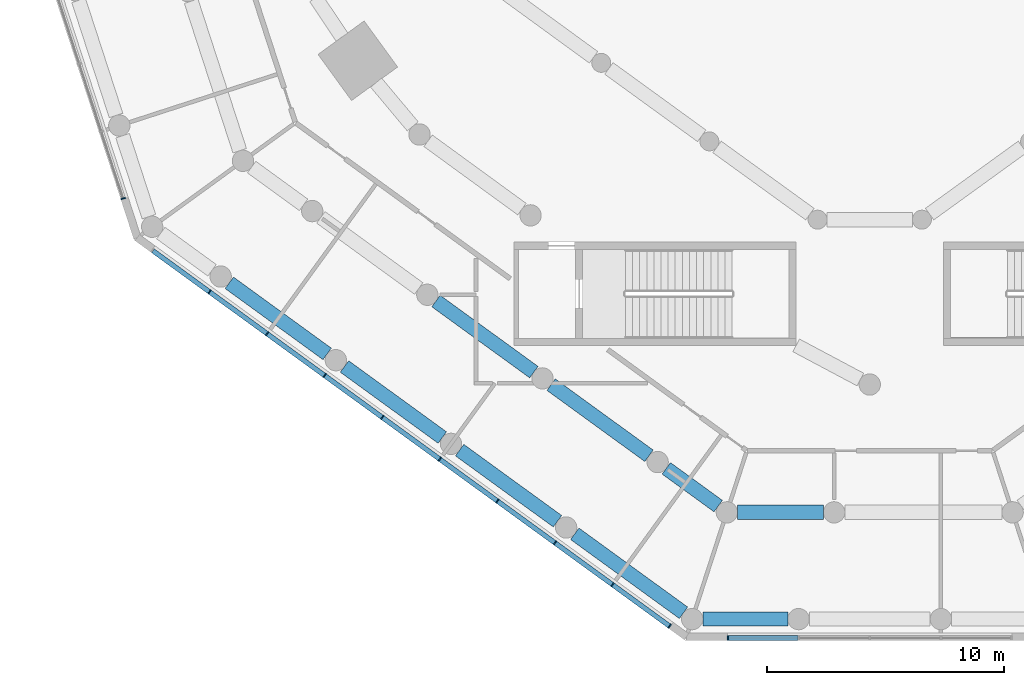
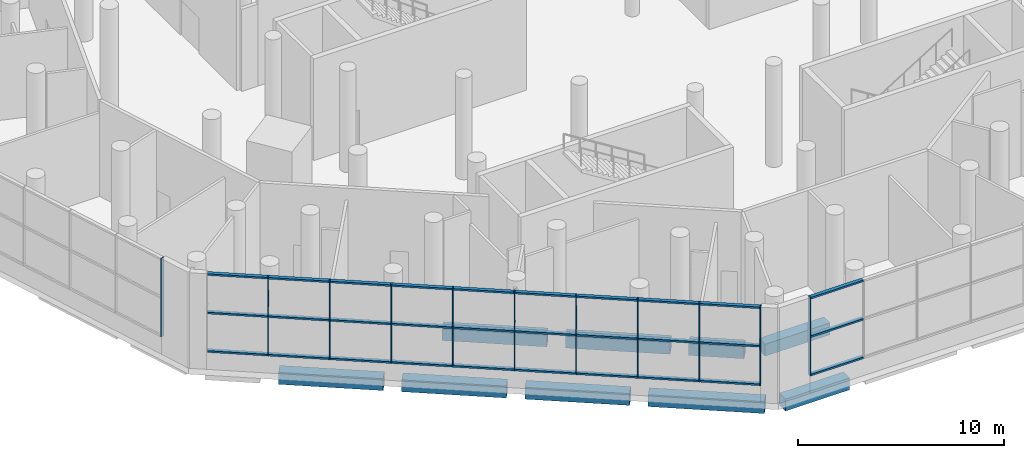
# One storey, part 2 of 19: 41 members, 9 beams, 3 elements without a shape of their own.
"""IFC4 building model written with IfcOpenShell, lengths in metres."""

from ifc_helpers import new_model, si_unit, direction, frame, origin, origin_2d, place, context, subcontext, project, spatial, rectangle, extrude, material, material_profile, profile_set, type_object, element, aggregate, save


model = new_model("IFC4")

# Units and contexts
model_context = context("Model", 3, precision=1e-05, world=origin(), true_north=direction((0.0, 1.0)))
body_context = subcontext(model_context, "Body", "Model", "MODEL_VIEW")
ifc_project = project(units=[si_unit("LENGTHUNIT", "METRE"), si_unit("AREAUNIT", "SQUARE_METRE"), si_unit("VOLUMEUNIT", "CUBIC_METRE"), si_unit("PLANEANGLEUNIT", "RADIAN"), si_unit("MASSUNIT", "GRAM", prefix="KILO")], contexts=[model_context])

# Site, building, storey
site_placement = place(None, origin())
site = spatial("IfcSite", under=ifc_project, at=site_placement, CompositionType="ELEMENT")
building_placement = place(site_placement, origin())
building = spatial("IfcBuilding", under=site, at=building_placement, Name="White Candle Pilgrim Tower", CompositionType="ELEMENT")
storey_placement = place(building_placement, frame((0.0, 0.0, 23.0)))
storey = spatial("IfcBuildingStorey", under=building, at=storey_placement, Name="L03", CompositionType="ELEMENT", Elevation=23.0)

# Curtain wall, member
ifc_material_1 = material(Name="Aluminium and glass", Category="aluminium")
curtain_wall_type = type_object("IfcCurtainWallType", Name="Curtain wall CW2 prayer hall clerestory", PredefinedType="NOTDEFINED", material=ifc_material_1)
curtain_wall_1_placement = place(storey_placement, origin())
curtain_wall_1 = element("IfcCurtainWall", 1, at=curtain_wall_1_placement, inside=storey, type_object=curtain_wall_type, Name="Curtain wall CW2 L03 W chamfer", PredefinedType="NOTDEFINED")
ifc_material_2 = material(Name="Aluminium", Category="aluminium")
ifc_material_profile_1 = material_profile(ifc_material_2, rectangle(XDim=0.199951171875, YDim=0.050048828125, at=origin_2d()), Name="CW2 mullion 50x200")
ifc_profile_set_1 = profile_set([ifc_material_profile_1], Name="Aluminium")
member_type_1 = type_object("IfcMemberType", Name="CW2 mullion 50x200", PredefinedType="MULLION", material=ifc_profile_set_1)
member_1_placement = place(storey_placement, frame((38.5224609375, 47.48974609375, 1.0), z_axis=(0.0, 0.0, 1.0), x_axis=(0.95105651444, 0.309017000085, 0.0)))
member_1 = element("IfcMember", 2, at=member_1_placement, type_object=member_type_1, Name="CW2 mullion 5", PredefinedType="MULLION", context=body_context, shape_type="SweptSolid", body=[
    extrude(rectangle(XDim=0.199951171875, YDim=0.050048828125, at=origin_2d()), origin(), (0.0, 0.0, 1.0), 4.64990234375),
])
aggregate(curtain_wall_1, [member_1])

# Curtain wall, members
curtain_wall_2_placement = place(storey_placement, origin())
curtain_wall_2 = element("IfcCurtainWall", 3, at=curtain_wall_2_placement, inside=storey, type_object=curtain_wall_type, Name="Curtain wall CW2 L03 SW", PredefinedType="NOTDEFINED")
member_2_placement = place(storey_placement, frame((42.167236328125, 43.55517578125, 1.0), z_axis=(0.0, 0.0, 1.0), x_axis=(0.587785249384, 0.809016996488, 0.0)))
member_2 = element("IfcMember", 4, at=member_2_placement, type_object=member_type_1, Name="CW2 mullion 2", PredefinedType="MULLION", context=body_context, shape_type="SweptSolid", body=[
    extrude(rectangle(XDim=0.199951171875, YDim=0.050048828125, at=origin_2d()), origin(), (0.0, 0.0, 1.0), 4.64990234375),
])
member_3_placement = place(storey_placement, frame((44.59423828125, 41.791748046875, 1.0), z_axis=(0.0, 0.0, 1.0), x_axis=(0.587785249384, 0.809016996488, 0.0)))
member_3 = element("IfcMember", 5, at=member_3_placement, type_object=member_type_1, Name="CW2 mullion 3", PredefinedType="MULLION", context=body_context, shape_type="SweptSolid", body=[
    extrude(rectangle(XDim=0.199951171875, YDim=0.050048828125, at=origin_2d()), origin(), (0.0, 0.0, 1.0), 4.64990234375),
])
member_4_placement = place(storey_placement, frame((47.021240234375, 40.0283203125, 1.0), z_axis=(0.0, 0.0, 1.0), x_axis=(0.587785249384, 0.809016996488, 0.0)))
member_4 = element("IfcMember", 6, at=member_4_placement, type_object=member_type_1, Name="CW2 mullion 4", PredefinedType="MULLION", context=body_context, shape_type="SweptSolid", body=[
    extrude(rectangle(XDim=0.199951171875, YDim=0.050048828125, at=origin_2d()), origin(), (0.0, 0.0, 1.0), 4.64990234375),
])
member_5_placement = place(storey_placement, frame((49.4482421875, 38.26513671875, 1.0), z_axis=(0.0, 0.0, 1.0), x_axis=(0.587785249384, 0.809016996488, 0.0)))
member_5 = element("IfcMember", 7, at=member_5_placement, type_object=member_type_1, Name="CW2 mullion 5", PredefinedType="MULLION", context=body_context, shape_type="SweptSolid", body=[
    extrude(rectangle(XDim=0.199951171875, YDim=0.050048828125, at=origin_2d()), origin(), (0.0, 0.0, 1.0), 4.64990234375),
])
member_6_placement = place(storey_placement, frame((51.87548828125, 36.501708984375, 1.0), z_axis=(0.0, 0.0, 1.0), x_axis=(0.587785249384, 0.809016996488, 0.0)))
member_6 = element("IfcMember", 8, at=member_6_placement, type_object=member_type_1, Name="CW2 mullion 6", PredefinedType="MULLION", context=body_context, shape_type="SweptSolid", body=[
    extrude(rectangle(XDim=0.199951171875, YDim=0.050048828125, at=origin_2d()), origin(), (0.0, 0.0, 1.0), 4.64990234375),
])
member_7_placement = place(storey_placement, frame((54.302490234375, 34.73828125, 1.0), z_axis=(0.0, 0.0, 1.0), x_axis=(0.587785249384, 0.809016996488, 0.0)))
member_7 = element("IfcMember", 9, at=member_7_placement, type_object=member_type_1, Name="CW2 mullion 7", PredefinedType="MULLION", context=body_context, shape_type="SweptSolid", body=[
    extrude(rectangle(XDim=0.199951171875, YDim=0.050048828125, at=origin_2d()), origin(), (0.0, 0.0, 1.0), 4.64990234375),
])
member_8_placement = place(storey_placement, frame((56.7294921875, 32.974853515625, 1.0), z_axis=(0.0, 0.0, 1.0), x_axis=(0.587785249384, 0.809016996488, 0.0)))
member_8 = element("IfcMember", 10, at=member_8_placement, type_object=member_type_1, Name="CW2 mullion 8", PredefinedType="MULLION", context=body_context, shape_type="SweptSolid", body=[
    extrude(rectangle(XDim=0.199951171875, YDim=0.050048828125, at=origin_2d()), origin(), (0.0, 0.0, 1.0), 4.64990234375),
])
member_9_placement = place(storey_placement, frame((59.156494140625, 31.211669921875, 1.0), z_axis=(0.0, 0.0, 1.0), x_axis=(0.587785249384, 0.809016996488, 0.0)))
member_9 = element("IfcMember", 11, at=member_9_placement, type_object=member_type_1, Name="CW2 mullion 9", PredefinedType="MULLION", context=body_context, shape_type="SweptSolid", body=[
    extrude(rectangle(XDim=0.199951171875, YDim=0.050048828125, at=origin_2d()), origin(), (0.0, 0.0, 1.0), 4.64990234375),
])
member_10_placement = place(storey_placement, frame((61.5634765625, 29.462890625, 1.0), z_axis=(0.0, 0.0, 1.0), x_axis=(0.587785249384, 0.809016996488, 0.0)))
member_10 = element("IfcMember", 12, at=member_10_placement, type_object=member_type_1, Name="CW2 mullion 10", PredefinedType="MULLION", context=body_context, shape_type="SweptSolid", body=[
    extrude(rectangle(XDim=0.199951171875, YDim=0.050048828125, at=origin_2d()), origin(), (0.0, 0.0, 1.0), 4.64990234375),
])

# Curtain wall, member
curtain_wall_3_placement = place(storey_placement, origin())
curtain_wall_3 = element("IfcCurtainWall", 13, at=curtain_wall_3_placement, inside=storey, type_object=curtain_wall_type, Name="Curtain wall CW2 L03 S chamfer", PredefinedType="NOTDEFINED")
member_11_placement = place(storey_placement, frame((64.02490234375, 28.961181640625, 1.0), z_axis=(0.0, 0.0, 1.0), x_axis=(0.0, 1.0, 0.0)))
member_11 = element("IfcMember", 14, at=member_11_placement, type_object=member_type_1, Name="CW2 mullion 1", PredefinedType="MULLION", context=body_context, shape_type="SweptSolid", body=[
    extrude(rectangle(XDim=0.199951171875, YDim=0.050048828125, at=origin_2d()), origin(), (0.0, 0.0, 1.0), 4.64990234375),
])

# Member
ifc_material_profile_2 = material_profile(ifc_material_2, rectangle(XDim=0.199951171875, YDim=0.10009765625, at=origin_2d()), Name="CW2 transom 100x200")
ifc_profile_set_2 = profile_set([ifc_material_profile_2], Name="Aluminium")
member_type_2 = type_object("IfcMemberType", Name="CW2 transom 100x200", PredefinedType="USERDEFINED", material=ifc_profile_set_2)
member_12_placement = place(storey_placement, frame((39.780517578125, 45.2890625, 1.050048828125), z_axis=(0.80903194638, -0.587764672073, 0.0), x_axis=(0.587764672073, 0.80903194638, 0.0)))
member_12 = element("IfcMember", 15, at=member_12_placement, type_object=member_type_2, Name="CW2 transom 1.1", ObjectType="TRANSOM", PredefinedType="USERDEFINED", context=body_context, shape_type="SweptSolid", body=[
    extrude(rectangle(XDim=0.199951171875, YDim=0.10009765625, at=origin_2d()), origin(), (0.0, 0.0, 1.0), 2.925048828125),
])

member_13_placement = place(storey_placement, frame((39.780517578125, 45.2890625, 3.324951171875), z_axis=(0.80903194638, -0.587764672073, 0.0), x_axis=(0.587764672073, 0.80903194638, 0.0)))
member_13 = element("IfcMember", 16, at=member_13_placement, type_object=member_type_2, Name="CW2 transom 1.2", ObjectType="TRANSOM", PredefinedType="USERDEFINED", context=body_context, shape_type="SweptSolid", body=[
    extrude(rectangle(XDim=0.199951171875, YDim=0.10009765625, at=origin_2d()), origin(), (0.0, 0.0, 1.0), 2.925048828125),
])

member_14_placement = place(storey_placement, frame((39.780517578125, 45.2890625, 5.60009765625), z_axis=(0.80903194638, -0.587764672073, 0.0), x_axis=(0.587764672073, 0.80903194638, 0.0)))
member_14 = element("IfcMember", 17, at=member_14_placement, type_object=member_type_2, Name="CW2 transom 1.3", ObjectType="TRANSOM", PredefinedType="USERDEFINED", context=body_context, shape_type="SweptSolid", body=[
    extrude(rectangle(XDim=0.199951171875, YDim=0.10009765625, at=origin_2d()), origin(), (0.0, 0.0, 1.0), 2.925048828125),
])

member_15_placement = place(storey_placement, frame((42.1875, 43.540283203125, 1.050048828125), z_axis=(0.809015152931, -0.587787786815, 0.0), x_axis=(0.587787786815, 0.809015152931, 0.0)))
member_15 = element("IfcMember", 18, at=member_15_placement, type_object=member_type_2, Name="CW2 transom 2.1", ObjectType="TRANSOM", PredefinedType="USERDEFINED", context=body_context, shape_type="SweptSolid", body=[
    extrude(rectangle(XDim=0.199951171875, YDim=0.10009765625, at=origin_2d()), origin(), (0.0, 0.0, 1.0), 2.949951171875),
])

member_16_placement = place(storey_placement, frame((42.1875, 43.540283203125, 3.324951171875), z_axis=(0.809015152931, -0.587787786815, 0.0), x_axis=(0.587787786815, 0.809015152931, 0.0)))
member_16 = element("IfcMember", 19, at=member_16_placement, type_object=member_type_2, Name="CW2 transom 2.2", ObjectType="TRANSOM", PredefinedType="USERDEFINED", context=body_context, shape_type="SweptSolid", body=[
    extrude(rectangle(XDim=0.199951171875, YDim=0.10009765625, at=origin_2d()), origin(), (0.0, 0.0, 1.0), 2.949951171875),
])

member_17_placement = place(storey_placement, frame((42.1875, 43.540283203125, 5.60009765625), z_axis=(0.809015152931, -0.587787786815, 0.0), x_axis=(0.587787786815, 0.809015152931, 0.0)))
member_17 = element("IfcMember", 20, at=member_17_placement, type_object=member_type_2, Name="CW2 transom 2.3", ObjectType="TRANSOM", PredefinedType="USERDEFINED", context=body_context, shape_type="SweptSolid", body=[
    extrude(rectangle(XDim=0.199951171875, YDim=0.10009765625, at=origin_2d()), origin(), (0.0, 0.0, 1.0), 2.949951171875),
])

member_18_placement = place(storey_placement, frame((44.614501953125, 41.777099609375, 1.050048828125), z_axis=(0.808975796474, -0.587841952159, 0.0), x_axis=(0.587841952159, 0.808975796474, 0.0)))
member_18 = element("IfcMember", 21, at=member_18_placement, type_object=member_type_2, Name="CW2 transom 3.1", ObjectType="TRANSOM", PredefinedType="USERDEFINED", context=body_context, shape_type="SweptSolid", body=[
    extrude(rectangle(XDim=0.199951171875, YDim=0.10009765625, at=origin_2d()), origin(), (0.0, 0.0, 1.0), 2.949951171875),
])

member_19_placement = place(storey_placement, frame((44.614501953125, 41.777099609375, 3.324951171875), z_axis=(0.808975796474, -0.587841952159, 0.0), x_axis=(0.587841952159, 0.808975796474, 0.0)))
member_19 = element("IfcMember", 22, at=member_19_placement, type_object=member_type_2, Name="CW2 transom 3.2", ObjectType="TRANSOM", PredefinedType="USERDEFINED", context=body_context, shape_type="SweptSolid", body=[
    extrude(rectangle(XDim=0.199951171875, YDim=0.10009765625, at=origin_2d()), origin(), (0.0, 0.0, 1.0), 2.949951171875),
])

member_20_placement = place(storey_placement, frame((44.614501953125, 41.777099609375, 5.60009765625), z_axis=(0.808975796474, -0.587841952159, 0.0), x_axis=(0.587841952159, 0.808975796474, 0.0)))
member_20 = element("IfcMember", 23, at=member_20_placement, type_object=member_type_2, Name="CW2 transom 3.3", ObjectType="TRANSOM", PredefinedType="USERDEFINED", context=body_context, shape_type="SweptSolid", body=[
    extrude(rectangle(XDim=0.199951171875, YDim=0.10009765625, at=origin_2d()), origin(), (0.0, 0.0, 1.0), 2.949951171875),
])

member_21_placement = place(storey_placement, frame((47.04150390625, 40.013671875, 1.050048828125), z_axis=(0.80904374446, -0.587748432197, 0.0), x_axis=(0.587748432197, 0.80904374446, 0.0)))
member_21 = element("IfcMember", 24, at=member_21_placement, type_object=member_type_2, Name="CW2 transom 4.1", ObjectType="TRANSOM", PredefinedType="USERDEFINED", context=body_context, shape_type="SweptSolid", body=[
    extrude(rectangle(XDim=0.199951171875, YDim=0.10009765625, at=origin_2d()), origin(), (0.0, 0.0, 1.0), 2.949951171875),
])

member_22_placement = place(storey_placement, frame((47.04150390625, 40.013671875, 3.324951171875), z_axis=(0.80904374446, -0.587748432197, 0.0), x_axis=(0.587748432197, 0.80904374446, 0.0)))
member_22 = element("IfcMember", 25, at=member_22_placement, type_object=member_type_2, Name="CW2 transom 4.2", ObjectType="TRANSOM", PredefinedType="USERDEFINED", context=body_context, shape_type="SweptSolid", body=[
    extrude(rectangle(XDim=0.199951171875, YDim=0.10009765625, at=origin_2d()), origin(), (0.0, 0.0, 1.0), 2.949951171875),
])

member_23_placement = place(storey_placement, frame((47.04150390625, 40.013671875, 5.60009765625), z_axis=(0.80904374446, -0.587748432197, 0.0), x_axis=(0.587748432197, 0.80904374446, 0.0)))
member_23 = element("IfcMember", 26, at=member_23_placement, type_object=member_type_2, Name="CW2 transom 4.3", ObjectType="TRANSOM", PredefinedType="USERDEFINED", context=body_context, shape_type="SweptSolid", body=[
    extrude(rectangle(XDim=0.199951171875, YDim=0.10009765625, at=origin_2d()), origin(), (0.0, 0.0, 1.0), 2.949951171875),
])

member_24_placement = place(storey_placement, frame((49.468505859375, 38.250244140625, 1.050048828125), z_axis=(0.80904374446, -0.587748432197, 0.0), x_axis=(0.587748432197, 0.80904374446, 0.0)))
member_24 = element("IfcMember", 27, at=member_24_placement, type_object=member_type_2, Name="CW2 transom 5.1", ObjectType="TRANSOM", PredefinedType="USERDEFINED", context=body_context, shape_type="SweptSolid", body=[
    extrude(rectangle(XDim=0.199951171875, YDim=0.10009765625, at=origin_2d()), origin(), (0.0, 0.0, 1.0), 2.949951171875),
])

member_25_placement = place(storey_placement, frame((49.468505859375, 38.250244140625, 3.324951171875), z_axis=(0.80904374446, -0.587748432197, 0.0), x_axis=(0.587748432197, 0.80904374446, 0.0)))
member_25 = element("IfcMember", 28, at=member_25_placement, type_object=member_type_2, Name="CW2 transom 5.2", ObjectType="TRANSOM", PredefinedType="USERDEFINED", context=body_context, shape_type="SweptSolid", body=[
    extrude(rectangle(XDim=0.199951171875, YDim=0.10009765625, at=origin_2d()), origin(), (0.0, 0.0, 1.0), 2.949951171875),
])

member_26_placement = place(storey_placement, frame((49.468505859375, 38.250244140625, 5.60009765625), z_axis=(0.80904374446, -0.587748432197, 0.0), x_axis=(0.587748432197, 0.80904374446, 0.0)))
member_26 = element("IfcMember", 29, at=member_26_placement, type_object=member_type_2, Name="CW2 transom 5.3", ObjectType="TRANSOM", PredefinedType="USERDEFINED", context=body_context, shape_type="SweptSolid", body=[
    extrude(rectangle(XDim=0.199951171875, YDim=0.10009765625, at=origin_2d()), origin(), (0.0, 0.0, 1.0), 2.949951171875),
])

member_27_placement = place(storey_placement, frame((51.8955078125, 36.487060546875, 1.050048828125), z_axis=(0.809004391883, -0.587802597744, 0.0), x_axis=(0.587802597744, 0.809004391883, 0.0)))
member_27 = element("IfcMember", 30, at=member_27_placement, type_object=member_type_2, Name="CW2 transom 6.1", ObjectType="TRANSOM", PredefinedType="USERDEFINED", context=body_context, shape_type="SweptSolid", body=[
    extrude(rectangle(XDim=0.199951171875, YDim=0.10009765625, at=origin_2d()), origin(), (0.0, 0.0, 1.0), 2.9501953125),
])

member_28_placement = place(storey_placement, frame((51.8955078125, 36.487060546875, 3.324951171875), z_axis=(0.809004391883, -0.587802597744, 0.0), x_axis=(0.587802597744, 0.809004391883, 0.0)))
member_28 = element("IfcMember", 31, at=member_28_placement, type_object=member_type_2, Name="CW2 transom 6.2", ObjectType="TRANSOM", PredefinedType="USERDEFINED", context=body_context, shape_type="SweptSolid", body=[
    extrude(rectangle(XDim=0.199951171875, YDim=0.10009765625, at=origin_2d()), origin(), (0.0, 0.0, 1.0), 2.9501953125),
])

member_29_placement = place(storey_placement, frame((51.8955078125, 36.487060546875, 5.60009765625), z_axis=(0.809004391883, -0.587802597744, 0.0), x_axis=(0.587802597744, 0.809004391883, 0.0)))
member_29 = element("IfcMember", 32, at=member_29_placement, type_object=member_type_2, Name="CW2 transom 6.3", ObjectType="TRANSOM", PredefinedType="USERDEFINED", context=body_context, shape_type="SweptSolid", body=[
    extrude(rectangle(XDim=0.199951171875, YDim=0.10009765625, at=origin_2d()), origin(), (0.0, 0.0, 1.0), 2.9501953125),
])

member_30_placement = place(storey_placement, frame((54.32275390625, 34.7236328125, 1.050048828125), z_axis=(0.809015152931, -0.587787786815, 0.0), x_axis=(0.587787786815, 0.809015152931, 0.0)))
member_30 = element("IfcMember", 33, at=member_30_placement, type_object=member_type_2, Name="CW2 transom 7.1", ObjectType="TRANSOM", PredefinedType="USERDEFINED", context=body_context, shape_type="SweptSolid", body=[
    extrude(rectangle(XDim=0.199951171875, YDim=0.10009765625, at=origin_2d()), origin(), (0.0, 0.0, 1.0), 2.949951171875),
])

member_31_placement = place(storey_placement, frame((54.32275390625, 34.7236328125, 3.324951171875), z_axis=(0.809015152931, -0.587787786815, 0.0), x_axis=(0.587787786815, 0.809015152931, 0.0)))
member_31 = element("IfcMember", 34, at=member_31_placement, type_object=member_type_2, Name="CW2 transom 7.2", ObjectType="TRANSOM", PredefinedType="USERDEFINED", context=body_context, shape_type="SweptSolid", body=[
    extrude(rectangle(XDim=0.199951171875, YDim=0.10009765625, at=origin_2d()), origin(), (0.0, 0.0, 1.0), 2.949951171875),
])

member_32_placement = place(storey_placement, frame((54.32275390625, 34.7236328125, 5.60009765625), z_axis=(0.809015152931, -0.587787786815, 0.0), x_axis=(0.587787786815, 0.809015152931, 0.0)))
member_32 = element("IfcMember", 35, at=member_32_placement, type_object=member_type_2, Name="CW2 transom 7.3", ObjectType="TRANSOM", PredefinedType="USERDEFINED", context=body_context, shape_type="SweptSolid", body=[
    extrude(rectangle(XDim=0.199951171875, YDim=0.10009765625, at=origin_2d()), origin(), (0.0, 0.0, 1.0), 2.949951171875),
])

member_33_placement = place(storey_placement, frame((56.749755859375, 32.960205078125, 1.050048828125), z_axis=(0.809015152931, -0.587787786815, 0.0), x_axis=(0.587787786815, 0.809015152931, 0.0)))
member_33 = element("IfcMember", 36, at=member_33_placement, type_object=member_type_2, Name="CW2 transom 8.1", ObjectType="TRANSOM", PredefinedType="USERDEFINED", context=body_context, shape_type="SweptSolid", body=[
    extrude(rectangle(XDim=0.199951171875, YDim=0.10009765625, at=origin_2d()), origin(), (0.0, 0.0, 1.0), 2.949951171875),
])

member_34_placement = place(storey_placement, frame((56.749755859375, 32.960205078125, 3.324951171875), z_axis=(0.809015152931, -0.587787786815, 0.0), x_axis=(0.587787786815, 0.809015152931, 0.0)))
member_34 = element("IfcMember", 37, at=member_34_placement, type_object=member_type_2, Name="CW2 transom 8.2", ObjectType="TRANSOM", PredefinedType="USERDEFINED", context=body_context, shape_type="SweptSolid", body=[
    extrude(rectangle(XDim=0.199951171875, YDim=0.10009765625, at=origin_2d()), origin(), (0.0, 0.0, 1.0), 2.949951171875),
])

member_35_placement = place(storey_placement, frame((56.749755859375, 32.960205078125, 5.60009765625), z_axis=(0.809015152931, -0.587787786815, 0.0), x_axis=(0.587787786815, 0.809015152931, 0.0)))
member_35 = element("IfcMember", 38, at=member_35_placement, type_object=member_type_2, Name="CW2 transom 8.3", ObjectType="TRANSOM", PredefinedType="USERDEFINED", context=body_context, shape_type="SweptSolid", body=[
    extrude(rectangle(XDim=0.199951171875, YDim=0.10009765625, at=origin_2d()), origin(), (0.0, 0.0, 1.0), 2.949951171875),
])

member_36_placement = place(storey_placement, frame((59.1767578125, 31.197021484375, 1.050048828125), z_axis=(0.808992256893, -0.587819299009, 0.0), x_axis=(0.587819299009, 0.808992256893, 0.0)))
member_36 = element("IfcMember", 39, at=member_36_placement, type_object=member_type_2, Name="CW2 transom 9.1", ObjectType="TRANSOM", PredefinedType="USERDEFINED", context=body_context, shape_type="SweptSolid", body=[
    extrude(rectangle(XDim=0.199951171875, YDim=0.10009765625, at=origin_2d()), origin(), (0.0, 0.0, 1.0), 2.92529296875),
])

member_37_placement = place(storey_placement, frame((59.1767578125, 31.197021484375, 3.324951171875), z_axis=(0.808992256893, -0.587819299009, 0.0), x_axis=(0.587819299009, 0.808992256893, 0.0)))
member_37 = element("IfcMember", 40, at=member_37_placement, type_object=member_type_2, Name="CW2 transom 9.2", ObjectType="TRANSOM", PredefinedType="USERDEFINED", context=body_context, shape_type="SweptSolid", body=[
    extrude(rectangle(XDim=0.199951171875, YDim=0.10009765625, at=origin_2d()), origin(), (0.0, 0.0, 1.0), 2.92529296875),
])

member_38_placement = place(storey_placement, frame((59.1767578125, 31.197021484375, 5.60009765625), z_axis=(0.808992256893, -0.587819299009, 0.0), x_axis=(0.587819299009, 0.808992256893, 0.0)))
member_38 = element("IfcMember", 41, at=member_38_placement, type_object=member_type_2, Name="CW2 transom 9.3", ObjectType="TRANSOM", PredefinedType="USERDEFINED", context=body_context, shape_type="SweptSolid", body=[
    extrude(rectangle(XDim=0.199951171875, YDim=0.10009765625, at=origin_2d()), origin(), (0.0, 0.0, 1.0), 2.92529296875),
])

aggregate(curtain_wall_2, [member_2, member_3, member_4, member_5, member_6, member_7, member_8, member_9, member_10, member_12, member_13, member_14, member_15, member_16, member_17, member_18, member_19, member_20, member_21, member_22, member_23, member_24, member_25, member_26, member_27, member_28, member_29, member_30, member_31, member_32, member_33, member_34, member_35, member_36, member_37, member_38])

member_39_placement = place(storey_placement, frame((64.050048828125, 28.961181640625, 1.050048828125), z_axis=(1.0, 0.0, 0.0), x_axis=(0.0, 1.0, 0.0)))
member_39 = element("IfcMember", 42, at=member_39_placement, type_object=member_type_2, Name="CW2 transom 1.1", ObjectType="TRANSOM", PredefinedType="USERDEFINED", context=body_context, shape_type="SweptSolid", body=[
    extrude(rectangle(XDim=0.199951171875, YDim=0.10009765625, at=origin_2d()), origin(), (0.0, 0.0, 1.0), 2.925048828125),
])

member_40_placement = place(storey_placement, frame((64.050048828125, 28.961181640625, 3.324951171875), z_axis=(1.0, 0.0, 0.0), x_axis=(0.0, 1.0, 0.0)))
member_40 = element("IfcMember", 43, at=member_40_placement, type_object=member_type_2, Name="CW2 transom 1.2", ObjectType="TRANSOM", PredefinedType="USERDEFINED", context=body_context, shape_type="SweptSolid", body=[
    extrude(rectangle(XDim=0.199951171875, YDim=0.10009765625, at=origin_2d()), origin(), (0.0, 0.0, 1.0), 2.925048828125),
])

member_41_placement = place(storey_placement, frame((64.050048828125, 28.961181640625, 5.60009765625), z_axis=(1.0, 0.0, 0.0), x_axis=(0.0, 1.0, 0.0)))
member_41 = element("IfcMember", 44, at=member_41_placement, type_object=member_type_2, Name="CW2 transom 1.3", ObjectType="TRANSOM", PredefinedType="USERDEFINED", context=body_context, shape_type="SweptSolid", body=[
    extrude(rectangle(XDim=0.199951171875, YDim=0.10009765625, at=origin_2d()), origin(), (0.0, 0.0, 1.0), 2.925048828125),
])

aggregate(curtain_wall_3, [member_11, member_39, member_40, member_41])

# Beams
ifc_material_3 = material(Name="Concrete C50/60", Category="concrete")
ifc_material_profile_3 = material_profile(ifc_material_3, rectangle(XDim=0.60009765625, YDim=0.699951171875, at=origin_2d()), Name="RC-BM 600x700")
ifc_profile_set_3 = profile_set([ifc_material_profile_3], Name="Concrete C50/60")
beam_type = type_object("IfcBeamType", Name="Spandrel beam RC-BM 600x700 C50/60", PredefinedType="BEAM", material=ifc_profile_set_3)
beam_1_placement = place(storey_placement, frame((43.0009765625, 43.937744140625, -0.699951171875), z_axis=(0.809112607881, -0.587653629078, 0.0), x_axis=(0.587653629078, 0.809112607881, 0.0)))
element("IfcBeam", 45, at=beam_1_placement, inside=storey, type_object=beam_type, Name="L03 spandrel beam B04", PredefinedType="BEAM", context=body_context, shape_type="SweptSolid", body=[
    extrude(rectangle(XDim=0.60009765625, YDim=0.699951171875, at=origin_2d()), origin(), (0.0, 0.0, 1.0), 5.100830078125),
])
beam_2_placement = place(storey_placement, frame((47.85595703125, 40.41162109375, -0.699951171875), z_axis=(0.808978190317, -0.587838657789, 0.0), x_axis=(0.587838657789, 0.808978190317, 0.0)))
element("IfcBeam", 46, at=beam_2_placement, inside=storey, type_object=beam_type, Name="L03 spandrel beam B05", PredefinedType="BEAM", context=body_context, shape_type="SweptSolid", body=[
    extrude(rectangle(XDim=0.60009765625, YDim=0.699951171875, at=origin_2d()), origin(), (0.0, 0.0, 1.0), 5.1005859375),
])
beam_3_placement = place(storey_placement, frame((52.7099609375, 36.884521484375, -0.699951171875), z_axis=(0.80900095282, -0.587807330965, 0.0), x_axis=(0.587807330965, 0.80900095282, 0.0)))
element("IfcBeam", 47, at=beam_3_placement, inside=storey, type_object=beam_type, Name="L03 spandrel beam B06", PredefinedType="BEAM", context=body_context, shape_type="SweptSolid", body=[
    extrude(rectangle(XDim=0.60009765625, YDim=0.699951171875, at=origin_2d()), origin(), (0.0, 0.0, 1.0), 5.100341796875),
])
beam_4_placement = place(storey_placement, frame((57.56396484375, 33.357666015625, -0.699951171875), z_axis=(0.808998591139, -0.587810581339, 0.0), x_axis=(0.587810581339, 0.808998591139, 0.0)))
element("IfcBeam", 48, at=beam_4_placement, inside=storey, type_object=beam_type, Name="L03 spandrel beam B07", PredefinedType="BEAM", context=body_context, shape_type="SweptSolid", body=[
    extrude(rectangle(XDim=0.60009765625, YDim=0.699951171875, at=origin_2d()), origin(), (0.0, 0.0, 1.0), 5.6689453125),
])
beam_5_placement = place(storey_placement, frame((62.964111328125, 29.760986328125, -0.699951171875), z_axis=(1.0, 0.0, 0.0), x_axis=(0.0, 1.0, 0.0)))
element("IfcBeam", 49, at=beam_5_placement, inside=storey, type_object=beam_type, Name="L03 spandrel beam B08", PredefinedType="BEAM", context=body_context, shape_type="SweptSolid", body=[
    extrude(rectangle(XDim=0.60009765625, YDim=0.699951171875, at=origin_2d()), origin(), (0.0, 0.0, 1.0), 3.5859375),
])
beam_6_placement = place(storey_placement, frame((51.7138671875, 43.169677734375, -0.699951171875), z_axis=(0.809069240735, -0.587713334625, 0.0), x_axis=(0.587713334625, 0.809069240735, 0.0)))
element("IfcBeam", 50, at=beam_6_placement, inside=storey, type_object=beam_type, Name="L03 spandrel beam C04", PredefinedType="BEAM", context=body_context, shape_type="SweptSolid", body=[
    extrude(rectangle(XDim=0.60009765625, YDim=0.699951171875, at=origin_2d()), origin(), (0.0, 0.0, 1.0), 5.099853515625),
])
beam_7_placement = place(storey_placement, frame((56.56787109375, 39.6435546875, -0.699951171875), z_axis=(0.80900095282, -0.587807330965, 0.0), x_axis=(0.587807330965, 0.80900095282, 0.0)))
element("IfcBeam", 51, at=beam_7_placement, inside=storey, type_object=beam_type, Name="L03 spandrel beam C05", PredefinedType="BEAM", context=body_context, shape_type="SweptSolid", body=[
    extrude(rectangle(XDim=0.60009765625, YDim=0.699951171875, at=origin_2d()), origin(), (0.0, 0.0, 1.0), 5.100341796875),
])
beam_8_placement = place(storey_placement, frame((61.421875, 36.11669921875, -0.699951171875), z_axis=(0.809008975915, -0.587796288598, 0.0), x_axis=(0.587796288598, 0.809008975915, 0.0)))
element("IfcBeam", 52, at=beam_8_placement, inside=storey, type_object=beam_type, Name="L03 spandrel beam C06", PredefinedType="BEAM", context=body_context, shape_type="SweptSolid", body=[
    extrude(rectangle(XDim=0.60009765625, YDim=0.699951171875, at=origin_2d()), origin(), (0.0, 0.0, 1.0), 2.707275390625),
])
beam_9_placement = place(storey_placement, frame((64.426025390625, 34.260986328125, -0.699951171875), z_axis=(1.0, 0.0, 0.0), x_axis=(0.0, 1.0, 0.0)))
element("IfcBeam", 53, at=beam_9_placement, inside=storey, type_object=beam_type, Name="L03 spandrel beam C07", PredefinedType="BEAM", context=body_context, shape_type="SweptSolid", body=[
    extrude(rectangle(XDim=0.60009765625, YDim=0.699951171875, at=origin_2d()), origin(), (0.0, 0.0, 1.0), 3.6240234375),
])

save(model, "model.ifc")
